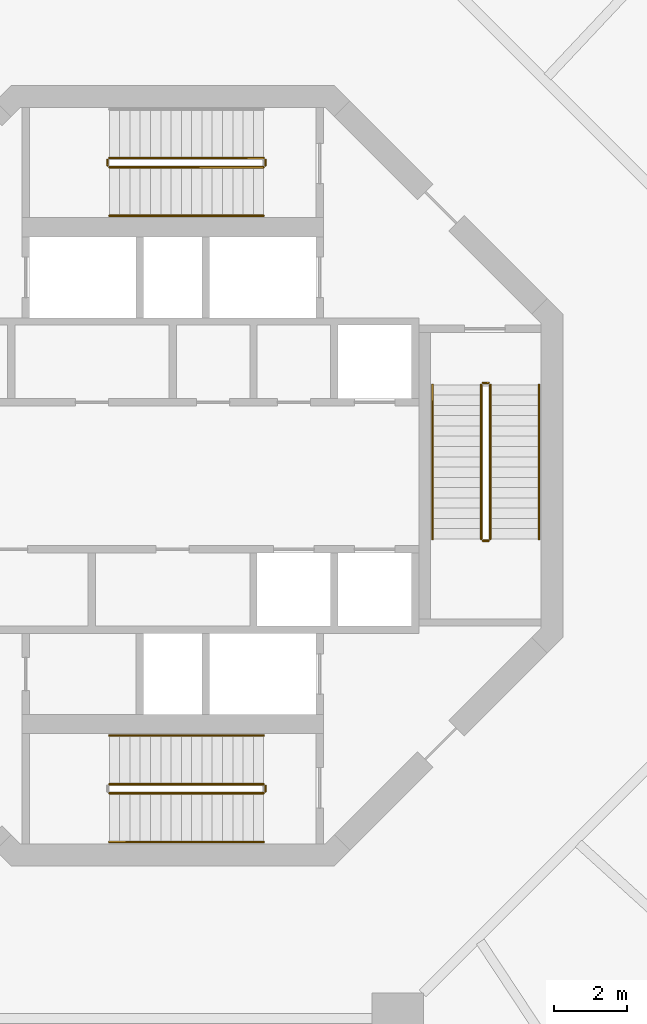
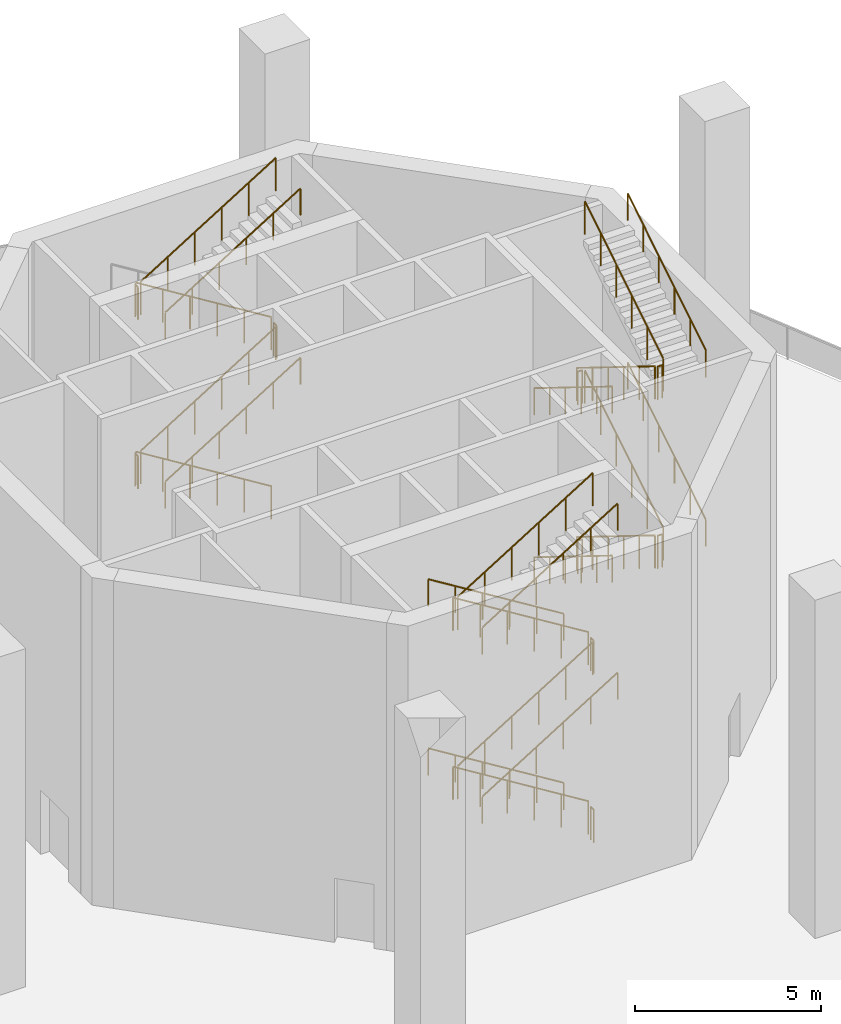
# One storey, part 6 of 7: 31 railings.
"""IFC4 building model written with IfcOpenShell, lengths in metres."""

from ifc_helpers import new_model, si_unit, direction, frame, origin, origin_2d, place, context, subcontext, project, spatial, circle, extrude, material, type_object, element, save


model = new_model("IFC4")

# Units and contexts
model_context = context("Model", 3, precision=1e-05, world=origin(), true_north=direction((0.0, 1.0)))
body_context = subcontext(model_context, "Body", "Model", "MODEL_VIEW")
ifc_project = project(units=[si_unit("LENGTHUNIT", "METRE"), si_unit("AREAUNIT", "SQUARE_METRE"), si_unit("VOLUMEUNIT", "CUBIC_METRE"), si_unit("PLANEANGLEUNIT", "RADIAN"), si_unit("MASSUNIT", "GRAM", prefix="KILO")], contexts=[model_context])

# Site, building, storey
site_placement = place(None, origin())
site = spatial("IfcSite", under=ifc_project, at=site_placement, CompositionType="ELEMENT")
building_placement = place(site_placement, origin())
building = spatial("IfcBuilding", under=site, at=building_placement, Name="Nagisa Residences", CompositionType="ELEMENT")
storey_placement = place(building_placement, frame((0.0, 0.0, 299.199951171875)))
storey = spatial("IfcBuildingStorey", under=building, at=storey_placement, Name="L76", CompositionType="ELEMENT", Elevation=299.199951171875)

# Railings
ifc_material_1 = material(Name="Stainless steel", Category="steel")
railing_type_1 = type_object("IfcRailingType", Name="Stair guard 1100", PredefinedType="GUARDRAIL", material=ifc_material_1)
railing_1_placement = place(storey_placement, frame((8.399658203125, 2.47509765625, 0.173583984375)))
element("IfcRailing", 1, at=railing_1_placement, inside=storey, type_object=railing_type_1, Name="L76 ST-E stair guard 1", PredefinedType="GUARDRAIL", context=body_context, shape_type="SweptSolid", body=[
    extrude(circle(Radius=0.02392578125, at=origin_2d()), frame((0.0, 0.0, 1.076171875), z_axis=(0.0, -0.85013453548, 0.526565543483), x_axis=(1.0, 0.0, 0.0)), (0.0, 0.0, 1.0), 4.940673828125),
    extrude(circle(Radius=0.02099609375, at=origin_2d()), origin(), (0.0, 0.0, 1.0), 1.052001953125),
    extrude(circle(Radius=0.02099609375, at=origin_2d()), frame((0.0, -0.840087890625, 0.520263671875)), (0.0, 0.0, 1.0), 1.052001953125),
    extrude(circle(Radius=0.02099609375, at=origin_2d()), frame((0.0, -1.68017578125, 1.04052734375)), (0.0, 0.0, 1.0), 1.052001953125),
    extrude(circle(Radius=0.02099609375, at=origin_2d()), frame((0.0, -2.52001953125, 1.56103515625)), (0.0, 0.0, 1.0), 1.052001953125),
    extrude(circle(Radius=0.02099609375, at=origin_2d()), frame((0.0, -3.360107421875, 2.081298828125)), (0.0, 0.0, 1.0), 1.052001953125),
    extrude(circle(Radius=0.02099609375, at=origin_2d()), frame((0.0, -4.2001953125, 2.6015625)), (0.0, 0.0, 1.0), 1.052001953125),
])
railing_2_placement = place(storey_placement, frame((8.44970703125, -1.77490234375, 2.775146484375)))
element("IfcRailing", 2, at=railing_2_placement, inside=storey, type_object=railing_type_1, Name="L76 ST-E stair guard 2", PredefinedType="GUARDRAIL", context=body_context, shape_type="SweptSolid", body=[
    extrude(circle(Radius=0.02392578125, at=origin_2d()), frame((0.0, 0.0, 1.076171875), z_axis=(1.0, 0.0, 0.0), x_axis=(0.0, 1.0, 0.0)), (0.0, 0.0, 1.0), 0.14990234375),
    extrude(circle(Radius=0.02099609375, at=origin_2d()), origin(), (0.0, 0.0, 1.0), 1.052001953125),
    extrude(circle(Radius=0.02099609375, at=origin_2d()), frame((0.14990234375, 0.0, 0.0)), (0.0, 0.0, 1.0), 1.052001953125),
])
railing_3_placement = place(storey_placement, frame((8.649658203125, -1.72509765625, 2.948486328125)))
element("IfcRailing", 3, at=railing_3_placement, inside=storey, type_object=railing_type_1, Name="L76 ST-E stair guard 3", PredefinedType="GUARDRAIL", context=body_context, shape_type="SweptSolid", body=[
    extrude(circle(Radius=0.02392578125, at=origin_2d()), frame((0.0, 0.0, 1.076171875), z_axis=(0.0, 0.85013453548, 0.526565543483), x_axis=(-1.0, 0.0, 0.0)), (0.0, 0.0, 1.0), 4.940673828125),
    extrude(circle(Radius=0.02099609375, at=origin_2d()), origin(), (0.0, 0.0, 1.0), 1.052001953125),
    extrude(circle(Radius=0.02099609375, at=origin_2d()), frame((0.0, 0.840087890625, 0.520263671875)), (0.0, 0.0, 1.0), 1.052001953125),
    extrude(circle(Radius=0.02099609375, at=origin_2d()), frame((0.0, 1.68017578125, 1.04052734375)), (0.0, 0.0, 1.0), 1.052001953125),
    extrude(circle(Radius=0.02099609375, at=origin_2d()), frame((0.0, 2.52001953125, 1.56103515625)), (0.0, 0.0, 1.0), 1.052001953125),
    extrude(circle(Radius=0.02099609375, at=origin_2d()), frame((0.0, 3.360107421875, 2.081298828125)), (0.0, 0.0, 1.0), 1.052001953125),
    extrude(circle(Radius=0.02099609375, at=origin_2d()), frame((0.0, 4.2001953125, 2.6015625)), (0.0, 0.0, 1.0), 1.052001953125),
])
railing_4_placement = place(storey_placement, frame((8.44970703125, 2.52490234375, 5.550048828125)))
element("IfcRailing", 4, at=railing_4_placement, inside=storey, type_object=railing_type_1, Name="L76 ST-E stair guard 4", PredefinedType="GUARDRAIL", context=body_context, shape_type="SweptSolid", body=[
    extrude(circle(Radius=0.02392578125, at=origin_2d()), frame((0.0, 0.0, 1.076171875), z_axis=(1.0, 0.0, 0.0), x_axis=(0.0, 1.0, 0.0)), (0.0, 0.0, 1.0), 0.14990234375),
    extrude(circle(Radius=0.02099609375, at=origin_2d()), origin(), (0.0, 0.0, 1.0), 1.052001953125),
    extrude(circle(Radius=0.02099609375, at=origin_2d()), frame((0.14990234375, 0.0, 0.0)), (0.0, 0.0, 1.0), 1.052001953125),
])
railing_5_placement = place(storey_placement, frame((8.399658203125, 2.47509765625, 5.723388671875)))
element("IfcRailing", 5, at=railing_5_placement, inside=storey, type_object=railing_type_1, Name="L76 ST-E stair guard 5", PredefinedType="GUARDRAIL", context=body_context, shape_type="SweptSolid", body=[
    extrude(circle(Radius=0.02392578125, at=origin_2d()), frame((0.0, 0.0, 1.076171875), z_axis=(0.0, -0.85013453548, 0.526565543483), x_axis=(1.0, 0.0, 0.0)), (0.0, 0.0, 1.0), 4.940673828125),
    extrude(circle(Radius=0.02099609375, at=origin_2d()), origin(), (0.0, 0.0, 1.0), 1.052001953125),
    extrude(circle(Radius=0.02099609375, at=origin_2d()), frame((0.0, -0.840087890625, 0.520263671875)), (0.0, 0.0, 1.0), 1.052001953125),
    extrude(circle(Radius=0.02099609375, at=origin_2d()), frame((0.0, -1.68017578125, 1.04052734375)), (0.0, 0.0, 1.0), 1.052001953125),
    extrude(circle(Radius=0.02099609375, at=origin_2d()), frame((0.0, -2.52001953125, 1.56103515625)), (0.0, 0.0, 1.0), 1.052001953125),
    extrude(circle(Radius=0.02099609375, at=origin_2d()), frame((0.0, -3.360107421875, 2.081298828125)), (0.0, 0.0, 1.0), 1.052001953125),
    extrude(circle(Radius=0.02099609375, at=origin_2d()), frame((0.0, -4.2001953125, 2.6015625)), (0.0, 0.0, 1.0), 1.052001953125),
])
railing_6_placement = place(storey_placement, frame((8.44970703125, -1.77490234375, 8.324951171875)))
element("IfcRailing", 6, at=railing_6_placement, inside=storey, type_object=railing_type_1, Name="L76 ST-E stair guard 6", PredefinedType="GUARDRAIL", context=body_context, shape_type="SweptSolid", body=[
    extrude(circle(Radius=0.02392578125, at=origin_2d()), frame((0.0, 0.0, 1.076171875), z_axis=(1.0, 0.0, 0.0), x_axis=(0.0, 1.0, 0.0)), (0.0, 0.0, 1.0), 0.14990234375),
    extrude(circle(Radius=0.02099609375, at=origin_2d()), origin(), (0.0, 0.0, 1.0), 1.052001953125),
    extrude(circle(Radius=0.02099609375, at=origin_2d()), frame((0.14990234375, 0.0, 0.0)), (0.0, 0.0, 1.0), 1.052001953125),
])
railing_7_placement = place(storey_placement, frame((8.649658203125, -1.72509765625, 8.49853515625)))
element("IfcRailing", 7, at=railing_7_placement, inside=storey, type_object=railing_type_1, Name="L76 ST-E stair guard 7", PredefinedType="GUARDRAIL", context=body_context, shape_type="SweptSolid", body=[
    extrude(circle(Radius=0.02392578125, at=origin_2d()), frame((0.0, 0.0, 1.076171875), z_axis=(0.0, 0.85013453548, 0.526565543483), x_axis=(-1.0, 0.0, 0.0)), (0.0, 0.0, 1.0), 4.940673828125),
    extrude(circle(Radius=0.02099609375, at=origin_2d()), origin(), (0.0, 0.0, 1.0), 1.052001953125),
    extrude(circle(Radius=0.02099609375, at=origin_2d()), frame((0.0, 0.840087890625, 0.520263671875)), (0.0, 0.0, 1.0), 1.052001953125),
    extrude(circle(Radius=0.02099609375, at=origin_2d()), frame((0.0, 1.68017578125, 1.04052734375)), (0.0, 0.0, 1.0), 1.052001953125),
    extrude(circle(Radius=0.02099609375, at=origin_2d()), frame((0.0, 2.52001953125, 1.56103515625)), (0.0, 0.0, 1.0), 1.052001953125),
    extrude(circle(Radius=0.02099609375, at=origin_2d()), frame((0.0, 3.360107421875, 2.081298828125)), (0.0, 0.0, 1.0), 1.052001953125),
    extrude(circle(Radius=0.02099609375, at=origin_2d()), frame((0.0, 4.2001953125, 2.6015625)), (0.0, 0.0, 1.0), 1.052001953125),
])
railing_8_placement = place(storey_placement, frame((8.44970703125, 2.52490234375, 0.0)))
element("IfcRailing", 8, at=railing_8_placement, inside=storey, type_object=railing_type_1, Name="L76 ST-E stair guard 8", PredefinedType="GUARDRAIL", context=body_context, shape_type="SweptSolid", body=[
    extrude(circle(Radius=0.02392578125, at=origin_2d()), frame((0.0, 0.0, 1.076171875), z_axis=(1.0, 0.0, 0.0), x_axis=(0.0, 1.0, 0.0)), (0.0, 0.0, 1.0), 0.14990234375),
    extrude(circle(Radius=0.02099609375, at=origin_2d()), origin(), (0.0, 0.0, 1.0), 1.052001953125),
    extrude(circle(Radius=0.02099609375, at=origin_2d()), frame((0.14990234375, 0.0, 0.0)), (0.0, 0.0, 1.0), 1.052001953125),
])
railing_9_placement = place(storey_placement, frame((2.47509765625, 8.649658203125, 0.173583984375)))
element("IfcRailing", 9, at=railing_9_placement, inside=storey, type_object=railing_type_1, Name="L76 ST-N stair guard 1", PredefinedType="GUARDRAIL", context=body_context, shape_type="SweptSolid", body=[
    extrude(circle(Radius=0.02392578125, at=origin_2d()), frame((0.0, 0.0, 1.076171875), z_axis=(-0.85013453548, 0.0, 0.526565543483), x_axis=(0.0, -1.0, 0.0)), (0.0, 0.0, 1.0), 4.940673828125),
    extrude(circle(Radius=0.02099609375, at=origin_2d()), origin(), (0.0, 0.0, 1.0), 1.052001953125),
    extrude(circle(Radius=0.02099609375, at=origin_2d()), frame((-0.840087890625, 0.0, 0.520263671875)), (0.0, 0.0, 1.0), 1.052001953125),
    extrude(circle(Radius=0.02099609375, at=origin_2d()), frame((-1.68017578125, 0.0, 1.04052734375)), (0.0, 0.0, 1.0), 1.052001953125),
    extrude(circle(Radius=0.02099609375, at=origin_2d()), frame((-2.52001953125, 0.0, 1.56103515625)), (0.0, 0.0, 1.0), 1.052001953125),
    extrude(circle(Radius=0.02099609375, at=origin_2d()), frame((-3.360107421875, 0.0, 2.081298828125)), (0.0, 0.0, 1.0), 1.052001953125),
    extrude(circle(Radius=0.02099609375, at=origin_2d()), frame((-4.2001953125, 0.0, 2.6015625)), (0.0, 0.0, 1.0), 1.052001953125),
])
railing_10_placement = place(storey_placement, frame((-1.77490234375, 8.599609375, 2.775146484375)))
element("IfcRailing", 10, at=railing_10_placement, inside=storey, type_object=railing_type_1, Name="L76 ST-N stair guard 2", PredefinedType="GUARDRAIL", context=body_context, shape_type="SweptSolid", body=[
    extrude(circle(Radius=0.02392578125, at=origin_2d()), frame((0.0, 0.0, 1.076171875), z_axis=(0.0, -1.0, 0.0), x_axis=(1.0, 0.0, 0.0)), (0.0, 0.0, 1.0), 0.14990234375),
    extrude(circle(Radius=0.02099609375, at=origin_2d()), origin(), (0.0, 0.0, 1.0), 1.052001953125),
    extrude(circle(Radius=0.02099609375, at=origin_2d()), frame((0.0, -0.14990234375, 0.0)), (0.0, 0.0, 1.0), 1.052001953125),
])
railing_11_placement = place(storey_placement, frame((-1.72509765625, 8.399658203125, 2.948486328125)))
element("IfcRailing", 11, at=railing_11_placement, inside=storey, type_object=railing_type_1, Name="L76 ST-N stair guard 3", PredefinedType="GUARDRAIL", context=body_context, shape_type="SweptSolid", body=[
    extrude(circle(Radius=0.02392578125, at=origin_2d()), frame((0.0, 0.0, 1.076171875), z_axis=(0.85013453548, 0.0, 0.526565543483), x_axis=(0.0, 1.0, 0.0)), (0.0, 0.0, 1.0), 4.940673828125),
    extrude(circle(Radius=0.02099609375, at=origin_2d()), origin(), (0.0, 0.0, 1.0), 1.052001953125),
    extrude(circle(Radius=0.02099609375, at=origin_2d()), frame((0.840087890625, 0.0, 0.520263671875)), (0.0, 0.0, 1.0), 1.052001953125),
    extrude(circle(Radius=0.02099609375, at=origin_2d()), frame((1.68017578125, 0.0, 1.04052734375)), (0.0, 0.0, 1.0), 1.052001953125),
    extrude(circle(Radius=0.02099609375, at=origin_2d()), frame((2.52001953125, 0.0, 1.56103515625)), (0.0, 0.0, 1.0), 1.052001953125),
    extrude(circle(Radius=0.02099609375, at=origin_2d()), frame((3.360107421875, 0.0, 2.081298828125)), (0.0, 0.0, 1.0), 1.052001953125),
    extrude(circle(Radius=0.02099609375, at=origin_2d()), frame((4.2001953125, 0.0, 2.6015625)), (0.0, 0.0, 1.0), 1.052001953125),
])
railing_12_placement = place(storey_placement, frame((2.52490234375, 8.599609375, 5.550048828125)))
element("IfcRailing", 12, at=railing_12_placement, inside=storey, type_object=railing_type_1, Name="L76 ST-N stair guard 4", PredefinedType="GUARDRAIL", context=body_context, shape_type="SweptSolid", body=[
    extrude(circle(Radius=0.02392578125, at=origin_2d()), frame((0.0, 0.0, 1.076171875), z_axis=(0.0, -1.0, 0.0), x_axis=(1.0, 0.0, 0.0)), (0.0, 0.0, 1.0), 0.14990234375),
    extrude(circle(Radius=0.02099609375, at=origin_2d()), origin(), (0.0, 0.0, 1.0), 1.052001953125),
    extrude(circle(Radius=0.02099609375, at=origin_2d()), frame((0.0, -0.14990234375, 0.0)), (0.0, 0.0, 1.0), 1.052001953125),
])
railing_13_placement = place(storey_placement, frame((2.47509765625, 8.649658203125, 5.723388671875)))
element("IfcRailing", 13, at=railing_13_placement, inside=storey, type_object=railing_type_1, Name="L76 ST-N stair guard 5", PredefinedType="GUARDRAIL", context=body_context, shape_type="SweptSolid", body=[
    extrude(circle(Radius=0.02392578125, at=origin_2d()), frame((0.0, 0.0, 1.076171875), z_axis=(-0.85013453548, 0.0, 0.526565543483), x_axis=(0.0, -1.0, 0.0)), (0.0, 0.0, 1.0), 4.940673828125),
    extrude(circle(Radius=0.02099609375, at=origin_2d()), origin(), (0.0, 0.0, 1.0), 1.052001953125),
    extrude(circle(Radius=0.02099609375, at=origin_2d()), frame((-0.840087890625, 0.0, 0.520263671875)), (0.0, 0.0, 1.0), 1.052001953125),
    extrude(circle(Radius=0.02099609375, at=origin_2d()), frame((-1.68017578125, 0.0, 1.04052734375)), (0.0, 0.0, 1.0), 1.052001953125),
    extrude(circle(Radius=0.02099609375, at=origin_2d()), frame((-2.52001953125, 0.0, 1.56103515625)), (0.0, 0.0, 1.0), 1.052001953125),
    extrude(circle(Radius=0.02099609375, at=origin_2d()), frame((-3.360107421875, 0.0, 2.081298828125)), (0.0, 0.0, 1.0), 1.052001953125),
    extrude(circle(Radius=0.02099609375, at=origin_2d()), frame((-4.2001953125, 0.0, 2.6015625)), (0.0, 0.0, 1.0), 1.052001953125),
])
railing_14_placement = place(storey_placement, frame((-1.77490234375, 8.599609375, 8.324951171875)))
element("IfcRailing", 14, at=railing_14_placement, inside=storey, type_object=railing_type_1, Name="L76 ST-N stair guard 6", PredefinedType="GUARDRAIL", context=body_context, shape_type="SweptSolid", body=[
    extrude(circle(Radius=0.02392578125, at=origin_2d()), frame((0.0, 0.0, 1.076171875), z_axis=(0.0, -1.0, 0.0), x_axis=(1.0, 0.0, 0.0)), (0.0, 0.0, 1.0), 0.14990234375),
    extrude(circle(Radius=0.02099609375, at=origin_2d()), origin(), (0.0, 0.0, 1.0), 1.052001953125),
    extrude(circle(Radius=0.02099609375, at=origin_2d()), frame((0.0, -0.14990234375, 0.0)), (0.0, 0.0, 1.0), 1.052001953125),
])
railing_15_placement = place(storey_placement, frame((-1.72509765625, 8.399658203125, 8.49853515625)))
element("IfcRailing", 15, at=railing_15_placement, inside=storey, type_object=railing_type_1, Name="L76 ST-N stair guard 7", PredefinedType="GUARDRAIL", context=body_context, shape_type="SweptSolid", body=[
    extrude(circle(Radius=0.02392578125, at=origin_2d()), frame((0.0, 0.0, 1.076171875), z_axis=(0.85013453548, 0.0, 0.526565543483), x_axis=(0.0, 1.0, 0.0)), (0.0, 0.0, 1.0), 4.940673828125),
    extrude(circle(Radius=0.02099609375, at=origin_2d()), origin(), (0.0, 0.0, 1.0), 1.052001953125),
    extrude(circle(Radius=0.02099609375, at=origin_2d()), frame((0.840087890625, 0.0, 0.520263671875)), (0.0, 0.0, 1.0), 1.052001953125),
    extrude(circle(Radius=0.02099609375, at=origin_2d()), frame((1.68017578125, 0.0, 1.04052734375)), (0.0, 0.0, 1.0), 1.052001953125),
    extrude(circle(Radius=0.02099609375, at=origin_2d()), frame((2.52001953125, 0.0, 1.56103515625)), (0.0, 0.0, 1.0), 1.052001953125),
    extrude(circle(Radius=0.02099609375, at=origin_2d()), frame((3.360107421875, 0.0, 2.081298828125)), (0.0, 0.0, 1.0), 1.052001953125),
    extrude(circle(Radius=0.02099609375, at=origin_2d()), frame((4.2001953125, 0.0, 2.6015625)), (0.0, 0.0, 1.0), 1.052001953125),
])
railing_16_placement = place(storey_placement, frame((2.47509765625, -8.399658203125, 0.173583984375)))
element("IfcRailing", 16, at=railing_16_placement, inside=storey, type_object=railing_type_1, Name="L76 ST-S stair guard 1", PredefinedType="GUARDRAIL", context=body_context, shape_type="SweptSolid", body=[
    extrude(circle(Radius=0.02392578125, at=origin_2d()), frame((0.0, 0.0, 1.076171875), z_axis=(-0.85013453548, 0.0, 0.526565543483), x_axis=(0.0, -1.0, 0.0)), (0.0, 0.0, 1.0), 4.940673828125),
    extrude(circle(Radius=0.02099609375, at=origin_2d()), origin(), (0.0, 0.0, 1.0), 1.052001953125),
    extrude(circle(Radius=0.02099609375, at=origin_2d()), frame((-0.840087890625, 0.0, 0.520263671875)), (0.0, 0.0, 1.0), 1.052001953125),
    extrude(circle(Radius=0.02099609375, at=origin_2d()), frame((-1.68017578125, 0.0, 1.04052734375)), (0.0, 0.0, 1.0), 1.052001953125),
    extrude(circle(Radius=0.02099609375, at=origin_2d()), frame((-2.52001953125, 0.0, 1.56103515625)), (0.0, 0.0, 1.0), 1.052001953125),
    extrude(circle(Radius=0.02099609375, at=origin_2d()), frame((-3.360107421875, 0.0, 2.081298828125)), (0.0, 0.0, 1.0), 1.052001953125),
    extrude(circle(Radius=0.02099609375, at=origin_2d()), frame((-4.2001953125, 0.0, 2.6015625)), (0.0, 0.0, 1.0), 1.052001953125),
])
railing_17_placement = place(storey_placement, frame((-1.72509765625, -8.649658203125, 2.948486328125)))
element("IfcRailing", 17, at=railing_17_placement, inside=storey, type_object=railing_type_1, Name="L76 ST-S stair guard 3", PredefinedType="GUARDRAIL", context=body_context, shape_type="SweptSolid", body=[
    extrude(circle(Radius=0.02392578125, at=origin_2d()), frame((0.0, 0.0, 1.076171875), z_axis=(0.85013453548, 0.0, 0.526565543483), x_axis=(0.0, 1.0, 0.0)), (0.0, 0.0, 1.0), 4.940673828125),
    extrude(circle(Radius=0.02099609375, at=origin_2d()), origin(), (0.0, 0.0, 1.0), 1.052001953125),
    extrude(circle(Radius=0.02099609375, at=origin_2d()), frame((0.840087890625, 0.0, 0.520263671875)), (0.0, 0.0, 1.0), 1.052001953125),
    extrude(circle(Radius=0.02099609375, at=origin_2d()), frame((1.68017578125, 0.0, 1.04052734375)), (0.0, 0.0, 1.0), 1.052001953125),
    extrude(circle(Radius=0.02099609375, at=origin_2d()), frame((2.52001953125, 0.0, 1.56103515625)), (0.0, 0.0, 1.0), 1.052001953125),
    extrude(circle(Radius=0.02099609375, at=origin_2d()), frame((3.360107421875, 0.0, 2.081298828125)), (0.0, 0.0, 1.0), 1.052001953125),
    extrude(circle(Radius=0.02099609375, at=origin_2d()), frame((4.2001953125, 0.0, 2.6015625)), (0.0, 0.0, 1.0), 1.052001953125),
])
railing_18_placement = place(storey_placement, frame((2.52490234375, -8.44970703125, 5.550048828125)))
element("IfcRailing", 18, at=railing_18_placement, inside=storey, type_object=railing_type_1, Name="L76 ST-S stair guard 4", PredefinedType="GUARDRAIL", context=body_context, shape_type="SweptSolid", body=[
    extrude(circle(Radius=0.02392578125, at=origin_2d()), frame((0.0, 0.0, 1.076171875), z_axis=(0.0, -1.0, 0.0), x_axis=(1.0, 0.0, 0.0)), (0.0, 0.0, 1.0), 0.14990234375),
    extrude(circle(Radius=0.02099609375, at=origin_2d()), origin(), (0.0, 0.0, 1.0), 1.052001953125),
    extrude(circle(Radius=0.02099609375, at=origin_2d()), frame((0.0, -0.14990234375, 0.0)), (0.0, 0.0, 1.0), 1.052001953125),
])
railing_19_placement = place(storey_placement, frame((2.47509765625, -8.399658203125, 5.723388671875)))
element("IfcRailing", 19, at=railing_19_placement, inside=storey, type_object=railing_type_1, Name="L76 ST-S stair guard 5", PredefinedType="GUARDRAIL", context=body_context, shape_type="SweptSolid", body=[
    extrude(circle(Radius=0.02392578125, at=origin_2d()), frame((0.0, 0.0, 1.076171875), z_axis=(-0.85013453548, 0.0, 0.526565543483), x_axis=(0.0, -1.0, 0.0)), (0.0, 0.0, 1.0), 4.940673828125),
    extrude(circle(Radius=0.02099609375, at=origin_2d()), origin(), (0.0, 0.0, 1.0), 1.052001953125),
    extrude(circle(Radius=0.02099609375, at=origin_2d()), frame((-0.840087890625, 0.0, 0.520263671875)), (0.0, 0.0, 1.0), 1.052001953125),
    extrude(circle(Radius=0.02099609375, at=origin_2d()), frame((-1.68017578125, 0.0, 1.04052734375)), (0.0, 0.0, 1.0), 1.052001953125),
    extrude(circle(Radius=0.02099609375, at=origin_2d()), frame((-2.52001953125, 0.0, 1.56103515625)), (0.0, 0.0, 1.0), 1.052001953125),
    extrude(circle(Radius=0.02099609375, at=origin_2d()), frame((-3.360107421875, 0.0, 2.081298828125)), (0.0, 0.0, 1.0), 1.052001953125),
    extrude(circle(Radius=0.02099609375, at=origin_2d()), frame((-4.2001953125, 0.0, 2.6015625)), (0.0, 0.0, 1.0), 1.052001953125),
])
railing_20_placement = place(storey_placement, frame((-1.72509765625, -8.649658203125, 8.49853515625)))
element("IfcRailing", 20, at=railing_20_placement, inside=storey, type_object=railing_type_1, Name="L76 ST-S stair guard 7", PredefinedType="GUARDRAIL", context=body_context, shape_type="SweptSolid", body=[
    extrude(circle(Radius=0.02392578125, at=origin_2d()), frame((0.0, 0.0, 1.076171875), z_axis=(0.85013453548, 0.0, 0.526565543483), x_axis=(0.0, 1.0, 0.0)), (0.0, 0.0, 1.0), 4.940673828125),
    extrude(circle(Radius=0.02099609375, at=origin_2d()), origin(), (0.0, 0.0, 1.0), 1.052001953125),
    extrude(circle(Radius=0.02099609375, at=origin_2d()), frame((0.840087890625, 0.0, 0.520263671875)), (0.0, 0.0, 1.0), 1.052001953125),
    extrude(circle(Radius=0.02099609375, at=origin_2d()), frame((1.68017578125, 0.0, 1.04052734375)), (0.0, 0.0, 1.0), 1.052001953125),
    extrude(circle(Radius=0.02099609375, at=origin_2d()), frame((2.52001953125, 0.0, 1.56103515625)), (0.0, 0.0, 1.0), 1.052001953125),
    extrude(circle(Radius=0.02099609375, at=origin_2d()), frame((3.360107421875, 0.0, 2.081298828125)), (0.0, 0.0, 1.0), 1.052001953125),
    extrude(circle(Radius=0.02099609375, at=origin_2d()), frame((4.2001953125, 0.0, 2.6015625)), (0.0, 0.0, 1.0), 1.052001953125),
])
railing_21_placement = place(storey_placement, frame((2.52490234375, -8.44970703125, 0.0)))
element("IfcRailing", 21, at=railing_21_placement, inside=storey, type_object=railing_type_1, Name="L76 ST-S stair guard 8", PredefinedType="GUARDRAIL", context=body_context, shape_type="SweptSolid", body=[
    extrude(circle(Radius=0.02392578125, at=origin_2d()), frame((0.0, 0.0, 1.076171875), z_axis=(0.0, -1.0, 0.0), x_axis=(1.0, 0.0, 0.0)), (0.0, 0.0, 1.0), 0.14990234375),
    extrude(circle(Radius=0.02099609375, at=origin_2d()), origin(), (0.0, 0.0, 1.0), 1.052001953125),
    extrude(circle(Radius=0.02099609375, at=origin_2d()), frame((0.0, -0.14990234375, 0.0)), (0.0, 0.0, 1.0), 1.052001953125),
])
ifc_material_2 = material(Name="Stainless steel", Category="steel")
railing_type_2 = type_object("IfcRailingType", Name="Stair handrail 900", PredefinedType="HANDRAIL", material=ifc_material_2)
railing_22_placement = place(storey_placement, frame((7.07470703125, 2.47509765625, 0.173583984375)))
element("IfcRailing", 22, at=railing_22_placement, inside=storey, type_object=railing_type_2, Name="L76 ST-E stair handrail 1", PredefinedType="HANDRAIL", context=body_context, shape_type="SweptSolid", body=[
    extrude(circle(Radius=0.02392578125, at=origin_2d()), frame((0.0, 0.0, 0.8759765625), z_axis=(0.0, -0.85013453548, 0.526565543483), x_axis=(1.0, 0.0, 0.0)), (0.0, 0.0, 1.0), 4.940673828125),
    extrude(circle(Radius=0.02099609375, at=origin_2d()), origin(), (0.0, 0.0, 1.0), 0.851806640625),
    extrude(circle(Radius=0.02099609375, at=origin_2d()), frame((0.0, -0.840087890625, 0.520263671875)), (0.0, 0.0, 1.0), 0.851806640625),
    extrude(circle(Radius=0.02099609375, at=origin_2d()), frame((0.0, -1.68017578125, 1.04052734375)), (0.0, 0.0, 1.0), 0.851806640625),
    extrude(circle(Radius=0.02099609375, at=origin_2d()), frame((0.0, -2.52001953125, 1.56103515625)), (0.0, 0.0, 1.0), 0.851806640625),
    extrude(circle(Radius=0.02099609375, at=origin_2d()), frame((0.0, -3.360107421875, 2.081298828125)), (0.0, 0.0, 1.0), 0.851806640625),
    extrude(circle(Radius=0.02099609375, at=origin_2d()), frame((0.0, -4.2001953125, 2.6015625)), (0.0, 0.0, 1.0), 0.851806640625),
])
railing_23_placement = place(storey_placement, frame((9.974609375, -1.72509765625, 2.948486328125)))
element("IfcRailing", 23, at=railing_23_placement, inside=storey, type_object=railing_type_2, Name="L76 ST-E stair handrail 2", PredefinedType="HANDRAIL", context=body_context, shape_type="SweptSolid", body=[
    extrude(circle(Radius=0.02392578125, at=origin_2d()), frame((0.0, 0.0, 0.8759765625), z_axis=(0.0, 0.85013453548, 0.526565543483), x_axis=(-1.0, 0.0, 0.0)), (0.0, 0.0, 1.0), 4.940673828125),
    extrude(circle(Radius=0.02099609375, at=origin_2d()), origin(), (0.0, 0.0, 1.0), 0.851806640625),
    extrude(circle(Radius=0.02099609375, at=origin_2d()), frame((0.0, 0.840087890625, 0.520263671875)), (0.0, 0.0, 1.0), 0.851806640625),
    extrude(circle(Radius=0.02099609375, at=origin_2d()), frame((0.0, 1.68017578125, 1.04052734375)), (0.0, 0.0, 1.0), 0.851806640625),
    extrude(circle(Radius=0.02099609375, at=origin_2d()), frame((0.0, 2.52001953125, 1.56103515625)), (0.0, 0.0, 1.0), 0.851806640625),
    extrude(circle(Radius=0.02099609375, at=origin_2d()), frame((0.0, 3.360107421875, 2.081298828125)), (0.0, 0.0, 1.0), 0.851806640625),
    extrude(circle(Radius=0.02099609375, at=origin_2d()), frame((0.0, 4.2001953125, 2.6015625)), (0.0, 0.0, 1.0), 0.851806640625),
])
railing_24_placement = place(storey_placement, frame((7.07470703125, 2.47509765625, 5.723388671875)))
element("IfcRailing", 24, at=railing_24_placement, inside=storey, type_object=railing_type_2, Name="L76 ST-E stair handrail 3", PredefinedType="HANDRAIL", context=body_context, shape_type="SweptSolid", body=[
    extrude(circle(Radius=0.02392578125, at=origin_2d()), frame((0.0, 0.0, 0.8759765625), z_axis=(0.0, -0.85013453548, 0.526565543483), x_axis=(1.0, 0.0, 0.0)), (0.0, 0.0, 1.0), 4.940673828125),
    extrude(circle(Radius=0.02099609375, at=origin_2d()), origin(), (0.0, 0.0, 1.0), 0.851806640625),
    extrude(circle(Radius=0.02099609375, at=origin_2d()), frame((0.0, -0.840087890625, 0.520263671875)), (0.0, 0.0, 1.0), 0.851806640625),
    extrude(circle(Radius=0.02099609375, at=origin_2d()), frame((0.0, -1.68017578125, 1.04052734375)), (0.0, 0.0, 1.0), 0.851806640625),
    extrude(circle(Radius=0.02099609375, at=origin_2d()), frame((0.0, -2.52001953125, 1.56103515625)), (0.0, 0.0, 1.0), 0.851806640625),
    extrude(circle(Radius=0.02099609375, at=origin_2d()), frame((0.0, -3.360107421875, 2.081298828125)), (0.0, 0.0, 1.0), 0.851806640625),
    extrude(circle(Radius=0.02099609375, at=origin_2d()), frame((0.0, -4.2001953125, 2.6015625)), (0.0, 0.0, 1.0), 0.851806640625),
])
railing_25_placement = place(storey_placement, frame((9.974609375, -1.72509765625, 8.49853515625)))
element("IfcRailing", 25, at=railing_25_placement, inside=storey, type_object=railing_type_2, Name="L76 ST-E stair handrail 4", PredefinedType="HANDRAIL", context=body_context, shape_type="SweptSolid", body=[
    extrude(circle(Radius=0.02392578125, at=origin_2d()), frame((0.0, 0.0, 0.8759765625), z_axis=(0.0, 0.85013453548, 0.526565543483), x_axis=(-1.0, 0.0, 0.0)), (0.0, 0.0, 1.0), 4.940673828125),
    extrude(circle(Radius=0.02099609375, at=origin_2d()), origin(), (0.0, 0.0, 1.0), 0.851806640625),
    extrude(circle(Radius=0.02099609375, at=origin_2d()), frame((0.0, 0.840087890625, 0.520263671875)), (0.0, 0.0, 1.0), 0.851806640625),
    extrude(circle(Radius=0.02099609375, at=origin_2d()), frame((0.0, 1.68017578125, 1.04052734375)), (0.0, 0.0, 1.0), 0.851806640625),
    extrude(circle(Radius=0.02099609375, at=origin_2d()), frame((0.0, 2.52001953125, 1.56103515625)), (0.0, 0.0, 1.0), 0.851806640625),
    extrude(circle(Radius=0.02099609375, at=origin_2d()), frame((0.0, 3.360107421875, 2.081298828125)), (0.0, 0.0, 1.0), 0.851806640625),
    extrude(circle(Radius=0.02099609375, at=origin_2d()), frame((0.0, 4.2001953125, 2.6015625)), (0.0, 0.0, 1.0), 0.851806640625),
])
for number, where, name in (
    (26, (-1.72509765625, 7.07470703125, 2.948486328125), "L76 ST-N stair handrail 2"),
    (27, (-1.72509765625, 7.07470703125, 8.49853515625), "L76 ST-N stair handrail 4"),
):
    element("IfcRailing", number, at=place(storey_placement, frame(where)), inside=storey, type_object=railing_type_2, Name=name, PredefinedType="HANDRAIL", context=body_context, shape_type="SweptSolid", body=[
        extrude(circle(Radius=0.02392578125, at=origin_2d()), frame((0.0, 0.0, 0.8759765625), z_axis=(0.85013453548, 0.0, 0.526565543483), x_axis=(0.0, 1.0, 0.0)), (0.0, 0.0, 1.0), 4.940673828125),
        extrude(circle(Radius=0.02099609375, at=origin_2d()), origin(), (0.0, 0.0, 1.0), 0.851806640625),
        extrude(circle(Radius=0.02099609375, at=origin_2d()), frame((0.840087890625, 0.0, 0.520263671875)), (0.0, 0.0, 1.0), 0.851806640625),
        extrude(circle(Radius=0.02099609375, at=origin_2d()), frame((1.68017578125, 0.0, 1.04052734375)), (0.0, 0.0, 1.0), 0.851806640625),
        extrude(circle(Radius=0.02099609375, at=origin_2d()), frame((2.52001953125, 0.0, 1.56103515625)), (0.0, 0.0, 1.0), 0.851806640625),
        extrude(circle(Radius=0.02099609375, at=origin_2d()), frame((3.360107421875, 0.0, 2.081298828125)), (0.0, 0.0, 1.0), 0.851806640625),
        extrude(circle(Radius=0.02099609375, at=origin_2d()), frame((4.2001953125, 0.0, 2.6015625)), (0.0, 0.0, 1.0), 0.851806640625),
    ])
railing_26_placement = place(storey_placement, frame((2.47509765625, -7.07470703125, 0.173583984375)))
element("IfcRailing", 28, at=railing_26_placement, inside=storey, type_object=railing_type_2, Name="L76 ST-S stair handrail 1", PredefinedType="HANDRAIL", context=body_context, shape_type="SweptSolid", body=[
    extrude(circle(Radius=0.02392578125, at=origin_2d()), frame((0.0, 0.0, 0.8759765625), z_axis=(-0.85013453548, 0.0, 0.526565543483), x_axis=(0.0, -1.0, 0.0)), (0.0, 0.0, 1.0), 4.940673828125),
    extrude(circle(Radius=0.02099609375, at=origin_2d()), origin(), (0.0, 0.0, 1.0), 0.851806640625),
    extrude(circle(Radius=0.02099609375, at=origin_2d()), frame((-0.840087890625, 0.0, 0.520263671875)), (0.0, 0.0, 1.0), 0.851806640625),
    extrude(circle(Radius=0.02099609375, at=origin_2d()), frame((-1.68017578125, 0.0, 1.04052734375)), (0.0, 0.0, 1.0), 0.851806640625),
    extrude(circle(Radius=0.02099609375, at=origin_2d()), frame((-2.52001953125, 0.0, 1.56103515625)), (0.0, 0.0, 1.0), 0.851806640625),
    extrude(circle(Radius=0.02099609375, at=origin_2d()), frame((-3.360107421875, 0.0, 2.081298828125)), (0.0, 0.0, 1.0), 0.851806640625),
    extrude(circle(Radius=0.02099609375, at=origin_2d()), frame((-4.2001953125, 0.0, 2.6015625)), (0.0, 0.0, 1.0), 0.851806640625),
])
railing_27_placement = place(storey_placement, frame((-1.72509765625, -9.974609375, 2.948486328125)))
element("IfcRailing", 29, at=railing_27_placement, inside=storey, type_object=railing_type_2, Name="L76 ST-S stair handrail 2", PredefinedType="HANDRAIL", context=body_context, shape_type="SweptSolid", body=[
    extrude(circle(Radius=0.02392578125, at=origin_2d()), frame((0.0, 0.0, 0.8759765625), z_axis=(0.85013453548, 0.0, 0.526565543483), x_axis=(0.0, 1.0, 0.0)), (0.0, 0.0, 1.0), 4.940673828125),
    extrude(circle(Radius=0.02099609375, at=origin_2d()), origin(), (0.0, 0.0, 1.0), 0.851806640625),
    extrude(circle(Radius=0.02099609375, at=origin_2d()), frame((0.840087890625, 0.0, 0.520263671875)), (0.0, 0.0, 1.0), 0.851806640625),
    extrude(circle(Radius=0.02099609375, at=origin_2d()), frame((1.68017578125, 0.0, 1.04052734375)), (0.0, 0.0, 1.0), 0.851806640625),
    extrude(circle(Radius=0.02099609375, at=origin_2d()), frame((2.52001953125, 0.0, 1.56103515625)), (0.0, 0.0, 1.0), 0.851806640625),
    extrude(circle(Radius=0.02099609375, at=origin_2d()), frame((3.360107421875, 0.0, 2.081298828125)), (0.0, 0.0, 1.0), 0.851806640625),
    extrude(circle(Radius=0.02099609375, at=origin_2d()), frame((4.2001953125, 0.0, 2.6015625)), (0.0, 0.0, 1.0), 0.851806640625),
])
railing_28_placement = place(storey_placement, frame((2.47509765625, -7.07470703125, 5.723388671875)))
element("IfcRailing", 30, at=railing_28_placement, inside=storey, type_object=railing_type_2, Name="L76 ST-S stair handrail 3", PredefinedType="HANDRAIL", context=body_context, shape_type="SweptSolid", body=[
    extrude(circle(Radius=0.02392578125, at=origin_2d()), frame((0.0, 0.0, 0.8759765625), z_axis=(-0.85013453548, 0.0, 0.526565543483), x_axis=(0.0, -1.0, 0.0)), (0.0, 0.0, 1.0), 4.940673828125),
    extrude(circle(Radius=0.02099609375, at=origin_2d()), origin(), (0.0, 0.0, 1.0), 0.851806640625),
    extrude(circle(Radius=0.02099609375, at=origin_2d()), frame((-0.840087890625, 0.0, 0.520263671875)), (0.0, 0.0, 1.0), 0.851806640625),
    extrude(circle(Radius=0.02099609375, at=origin_2d()), frame((-1.68017578125, 0.0, 1.04052734375)), (0.0, 0.0, 1.0), 0.851806640625),
    extrude(circle(Radius=0.02099609375, at=origin_2d()), frame((-2.52001953125, 0.0, 1.56103515625)), (0.0, 0.0, 1.0), 0.851806640625),
    extrude(circle(Radius=0.02099609375, at=origin_2d()), frame((-3.360107421875, 0.0, 2.081298828125)), (0.0, 0.0, 1.0), 0.851806640625),
    extrude(circle(Radius=0.02099609375, at=origin_2d()), frame((-4.2001953125, 0.0, 2.6015625)), (0.0, 0.0, 1.0), 0.851806640625),
])
railing_29_placement = place(storey_placement, frame((-1.72509765625, -9.974609375, 8.49853515625)))
element("IfcRailing", 31, at=railing_29_placement, inside=storey, type_object=railing_type_2, Name="L76 ST-S stair handrail 4", PredefinedType="HANDRAIL", context=body_context, shape_type="SweptSolid", body=[
    extrude(circle(Radius=0.02392578125, at=origin_2d()), frame((0.0, 0.0, 0.8759765625), z_axis=(0.85013453548, 0.0, 0.526565543483), x_axis=(0.0, 1.0, 0.0)), (0.0, 0.0, 1.0), 4.940673828125),
    extrude(circle(Radius=0.02099609375, at=origin_2d()), origin(), (0.0, 0.0, 1.0), 0.851806640625),
    extrude(circle(Radius=0.02099609375, at=origin_2d()), frame((0.840087890625, 0.0, 0.520263671875)), (0.0, 0.0, 1.0), 0.851806640625),
    extrude(circle(Radius=0.02099609375, at=origin_2d()), frame((1.68017578125, 0.0, 1.04052734375)), (0.0, 0.0, 1.0), 0.851806640625),
    extrude(circle(Radius=0.02099609375, at=origin_2d()), frame((2.52001953125, 0.0, 1.56103515625)), (0.0, 0.0, 1.0), 0.851806640625),
    extrude(circle(Radius=0.02099609375, at=origin_2d()), frame((3.360107421875, 0.0, 2.081298828125)), (0.0, 0.0, 1.0), 0.851806640625),
    extrude(circle(Radius=0.02099609375, at=origin_2d()), frame((4.2001953125, 0.0, 2.6015625)), (0.0, 0.0, 1.0), 0.851806640625),
])

save(model, "model.ifc")
